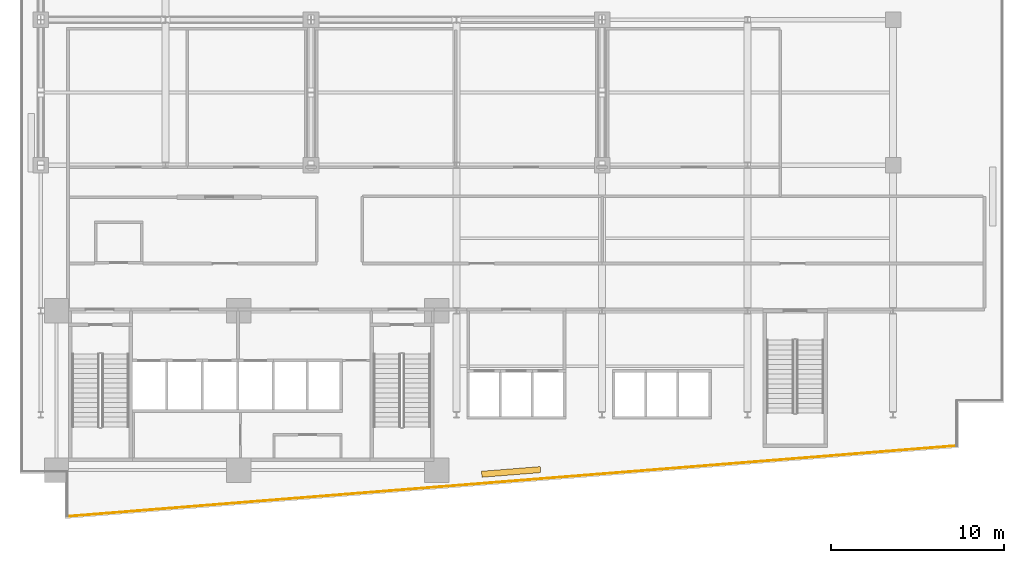
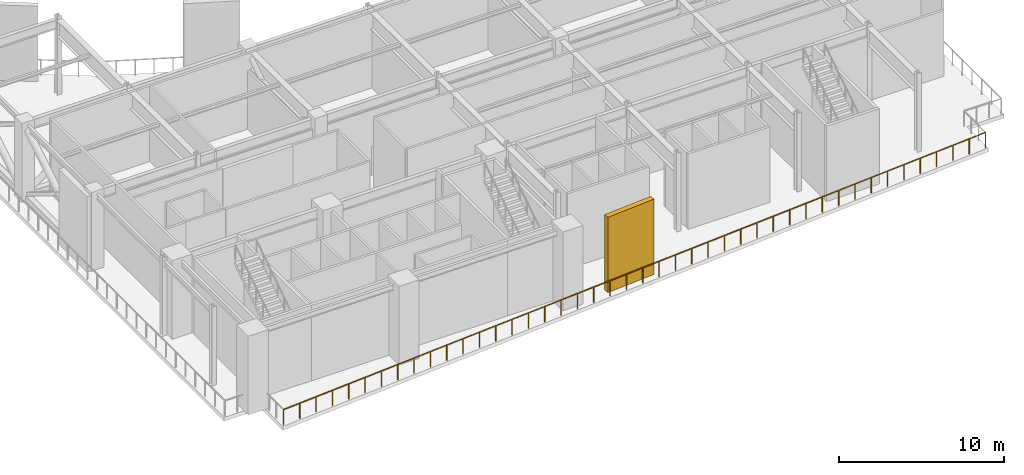
# One storey, part 10 of 14: 1 railing, 1 shading device.
"""IFC4 building model written with IfcOpenShell, lengths in metres."""

from ifc_helpers import new_model, si_unit, direction, frame, origin, origin_2d, place, context, subcontext, project, spatial, rectangle, circle, extrude, material, layer, layer_set, type_object, element, save


model = new_model("IFC4")

# Units and contexts
model_context = context("Model", 3, precision=1e-05, world=origin(), true_north=direction((0.0, 1.0)))
body_context = subcontext(model_context, "Body", "Model", "MODEL_VIEW")
ifc_project = project(units=[si_unit("LENGTHUNIT", "METRE"), si_unit("AREAUNIT", "SQUARE_METRE"), si_unit("VOLUMEUNIT", "CUBIC_METRE"), si_unit("PLANEANGLEUNIT", "RADIAN"), si_unit("MASSUNIT", "GRAM", prefix="KILO")], contexts=[model_context])

# Site, building, storey
site_placement = place(None, origin())
site = spatial("IfcSite", under=ifc_project, at=site_placement, CompositionType="ELEMENT")
building_placement = place(site_placement, origin())
building = spatial("IfcBuilding", under=site, at=building_placement, Name="Varnakote Quay Hospital", CompositionType="ELEMENT")
storey_placement = place(building_placement, frame((0.0, 0.0, 97.550048828125)))
storey = spatial("IfcBuildingStorey", under=building, at=storey_placement, Name="L24", CompositionType="ELEMENT", Elevation=97.550048828125)

# Railing
ifc_material_1 = material(Name="Anodised aluminium 6063-T6 Bronze", Category="aluminium")
railing_type = type_object("IfcRailingType", Name="RLG-EXT-GUARD-1150", PredefinedType="GUARDRAIL", material=ifc_material_1)
railing_placement = place(storey_placement, frame((54.080078125, 4.210693359375, 0.0)))
element("IfcRailing", 1, at=railing_placement, inside=storey, type_object=railing_type, Name="L24 Open Wind-Damping Deck Perimeter Safety Guard", PredefinedType="GUARDRAIL", context=body_context, shape_type="SweptSolid", body=[
    extrude(circle(Radius=0.02392578125, at=origin_2d()), frame((0.0, 0.0, 1.1259765625), z_axis=(-0.996858329392, -0.079205246806, 0.0), x_axis=(0.079205246806, -0.996858329392, 0.0)), (0.0, 0.0, 1.0), 51.52197265625),
    extrude(circle(Radius=0.02099609375, at=origin_2d()), origin(), (0.0, 0.0, 1.0), 1.101806640625),
    extrude(circle(Radius=0.02099609375, at=origin_2d()), frame((-1.1943359375, -0.094970703125, 0.0)), (0.0, 0.0, 1.0), 1.101806640625),
    extrude(circle(Radius=0.02099609375, at=origin_2d()), frame((-2.388916015625, -0.189697265625, 0.0)), (0.0, 0.0, 1.0), 1.101806640625),
    extrude(circle(Radius=0.02099609375, at=origin_2d()), frame((-3.583251953125, -0.28466796875, 0.0)), (0.0, 0.0, 1.0), 1.101806640625),
    extrude(circle(Radius=0.02099609375, at=origin_2d()), frame((-4.777587890625, -0.379638671875, 0.0)), (0.0, 0.0, 1.0), 1.101806640625),
    extrude(circle(Radius=0.02099609375, at=origin_2d()), frame((-5.97216796875, -0.474609375, 0.0)), (0.0, 0.0, 1.0), 1.101806640625),
    extrude(circle(Radius=0.02099609375, at=origin_2d()), frame((-7.16650390625, -0.5693359375, 0.0)), (0.0, 0.0, 1.0), 1.101806640625),
    extrude(circle(Radius=0.02099609375, at=origin_2d()), frame((-8.36083984375, -0.664306640625, 0.0)), (0.0, 0.0, 1.0), 1.101806640625),
    extrude(circle(Radius=0.02099609375, at=origin_2d()), frame((-9.555419921875, -0.75927734375, 0.0)), (0.0, 0.0, 1.0), 1.101806640625),
    extrude(circle(Radius=0.02099609375, at=origin_2d()), frame((-10.749755859375, -0.85400390625, 0.0)), (0.0, 0.0, 1.0), 1.101806640625),
    extrude(circle(Radius=0.02099609375, at=origin_2d()), frame((-11.944091796875, -0.948974609375, 0.0)), (0.0, 0.0, 1.0), 1.101806640625),
    extrude(circle(Radius=0.02099609375, at=origin_2d()), frame((-13.138671875, -1.0439453125, 0.0)), (0.0, 0.0, 1.0), 1.101806640625),
    extrude(circle(Radius=0.02099609375, at=origin_2d()), frame((-14.3330078125, -1.138916015625, 0.0)), (0.0, 0.0, 1.0), 1.101806640625),
    extrude(circle(Radius=0.02099609375, at=origin_2d()), frame((-15.527587890625, -1.233642578125, 0.0)), (0.0, 0.0, 1.0), 1.101806640625),
    extrude(circle(Radius=0.02099609375, at=origin_2d()), frame((-16.721923828125, -1.32861328125, 0.0)), (0.0, 0.0, 1.0), 1.101806640625),
    extrude(circle(Radius=0.02099609375, at=origin_2d()), frame((-17.916259765625, -1.423583984375, 0.0)), (0.0, 0.0, 1.0), 1.101806640625),
    extrude(circle(Radius=0.02099609375, at=origin_2d()), frame((-19.11083984375, -1.5185546875, 0.0)), (0.0, 0.0, 1.0), 1.101806640625),
    extrude(circle(Radius=0.02099609375, at=origin_2d()), frame((-20.30517578125, -1.61328125, 0.0)), (0.0, 0.0, 1.0), 1.101806640625),
    extrude(circle(Radius=0.02099609375, at=origin_2d()), frame((-21.49951171875, -1.708251953125, 0.0)), (0.0, 0.0, 1.0), 1.101806640625),
    extrude(circle(Radius=0.02099609375, at=origin_2d()), frame((-22.694091796875, -1.80322265625, 0.0)), (0.0, 0.0, 1.0), 1.101806640625),
    extrude(circle(Radius=0.02099609375, at=origin_2d()), frame((-23.888427734375, -1.89794921875, 0.0)), (0.0, 0.0, 1.0), 1.101806640625),
    extrude(circle(Radius=0.02099609375, at=origin_2d()), frame((-25.082763671875, -1.992919921875, 0.0)), (0.0, 0.0, 1.0), 1.101806640625),
    extrude(circle(Radius=0.02099609375, at=origin_2d()), frame((-26.27734375, -2.087890625, 0.0)), (0.0, 0.0, 1.0), 1.101806640625),
    extrude(circle(Radius=0.02099609375, at=origin_2d()), frame((-27.4716796875, -2.182861328125, 0.0)), (0.0, 0.0, 1.0), 1.101806640625),
    extrude(circle(Radius=0.02099609375, at=origin_2d()), frame((-28.666015625, -2.277587890625, 0.0)), (0.0, 0.0, 1.0), 1.101806640625),
    extrude(circle(Radius=0.02099609375, at=origin_2d()), frame((-29.860595703125, -2.37255859375, 0.0)), (0.0, 0.0, 1.0), 1.101806640625),
    extrude(circle(Radius=0.02099609375, at=origin_2d()), frame((-31.054931640625, -2.467529296875, 0.0)), (0.0, 0.0, 1.0), 1.101806640625),
    extrude(circle(Radius=0.02099609375, at=origin_2d()), frame((-32.249267578125, -2.562255859375, 0.0)), (0.0, 0.0, 1.0), 1.101806640625),
    extrude(circle(Radius=0.02099609375, at=origin_2d()), frame((-33.44384765625, -2.6572265625, 0.0)), (0.0, 0.0, 1.0), 1.101806640625),
    extrude(circle(Radius=0.02099609375, at=origin_2d()), frame((-34.63818359375, -2.752197265625, 0.0)), (0.0, 0.0, 1.0), 1.101806640625),
    extrude(circle(Radius=0.02099609375, at=origin_2d()), frame((-35.83251953125, -2.84716796875, 0.0)), (0.0, 0.0, 1.0), 1.101806640625),
    extrude(circle(Radius=0.02099609375, at=origin_2d()), frame((-37.027099609375, -2.94189453125, 0.0)), (0.0, 0.0, 1.0), 1.101806640625),
    extrude(circle(Radius=0.02099609375, at=origin_2d()), frame((-38.221435546875, -3.036865234375, 0.0)), (0.0, 0.0, 1.0), 1.101806640625),
    extrude(circle(Radius=0.02099609375, at=origin_2d()), frame((-39.416015625, -3.1318359375, 0.0)), (0.0, 0.0, 1.0), 1.101806640625),
    extrude(circle(Radius=0.02099609375, at=origin_2d()), frame((-40.6103515625, -3.226806640625, 0.0)), (0.0, 0.0, 1.0), 1.101806640625),
    extrude(circle(Radius=0.02099609375, at=origin_2d()), frame((-41.8046875, -3.321533203125, 0.0)), (0.0, 0.0, 1.0), 1.101806640625),
    extrude(circle(Radius=0.02099609375, at=origin_2d()), frame((-42.999267578125, -3.41650390625, 0.0)), (0.0, 0.0, 1.0), 1.101806640625),
    extrude(circle(Radius=0.02099609375, at=origin_2d()), frame((-44.193603515625, -3.511474609375, 0.0)), (0.0, 0.0, 1.0), 1.101806640625),
    extrude(circle(Radius=0.02099609375, at=origin_2d()), frame((-45.387939453125, -3.606201171875, 0.0)), (0.0, 0.0, 1.0), 1.101806640625),
    extrude(circle(Radius=0.02099609375, at=origin_2d()), frame((-46.58251953125, -3.701171875, 0.0)), (0.0, 0.0, 1.0), 1.101806640625),
    extrude(circle(Radius=0.02099609375, at=origin_2d()), frame((-47.77685546875, -3.796142578125, 0.0)), (0.0, 0.0, 1.0), 1.101806640625),
    extrude(circle(Radius=0.02099609375, at=origin_2d()), frame((-48.97119140625, -3.89111328125, 0.0)), (0.0, 0.0, 1.0), 1.101806640625),
    extrude(circle(Radius=0.02099609375, at=origin_2d()), frame((-50.165771484375, -3.98583984375, 0.0)), (0.0, 0.0, 1.0), 1.101806640625),
    extrude(circle(Radius=0.02099609375, at=origin_2d()), frame((-51.360107421875, -4.080810546875, 0.0)), (0.0, 0.0, 1.0), 1.101806640625),
])

# Shading device
ifc_material_2 = material(Name="Precast concrete N50 (f'c 50 MPa)", Category="concrete")
ifc_layer = layer(ifc_material_2, 0.35009765625)
ifc_layer_set = layer_set([ifc_layer], Name="Precast concrete N50 (f'c 50 MPa)")
shading_device_type = type_object("IfcShadingDeviceType", Name="SHD-BRICK-OCULUS-350", PredefinedType="USERDEFINED", material=ifc_layer_set)
shading_device_placement = place(storey_placement, frame((28.348388671875, 2.697998046875, 0.0), z_axis=(0.0, 0.0, 1.0), x_axis=(0.996862316013, 0.079155056145, 0.0)))
element("IfcShadingDevice", 2, at=shading_device_placement, inside=storey, type_object=shading_device_type, Name="L24 Brick Oculus Wind Screen", ObjectType="OCULUS", PredefinedType="USERDEFINED", context=body_context, shape_type="SweptSolid", body=[
    extrude(rectangle(XDim=3.39990234375, YDim=0.35009765625, at=origin_2d()), origin(), (0.0, 0.0, 1.0), 5.56005859375),
])

save(model, "model.ifc")
